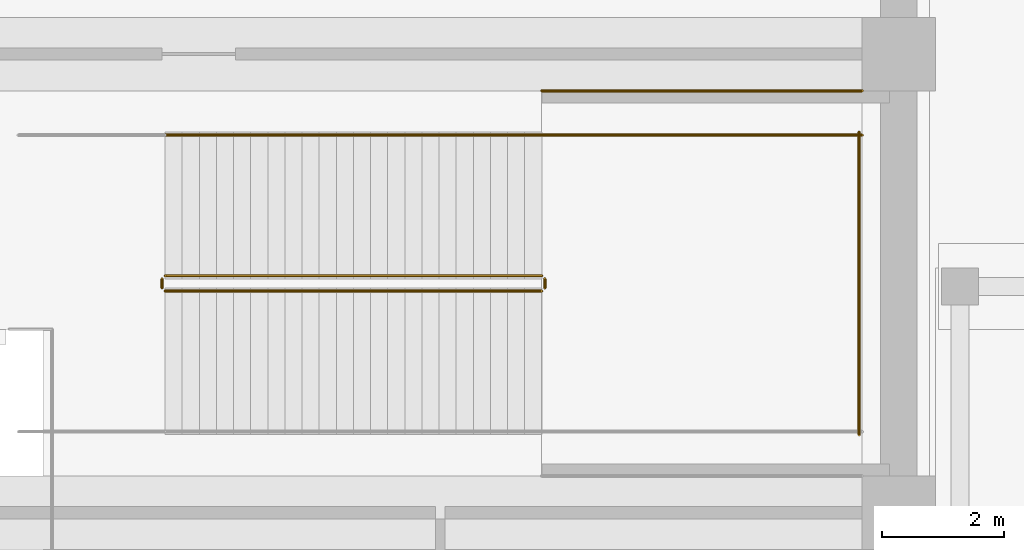
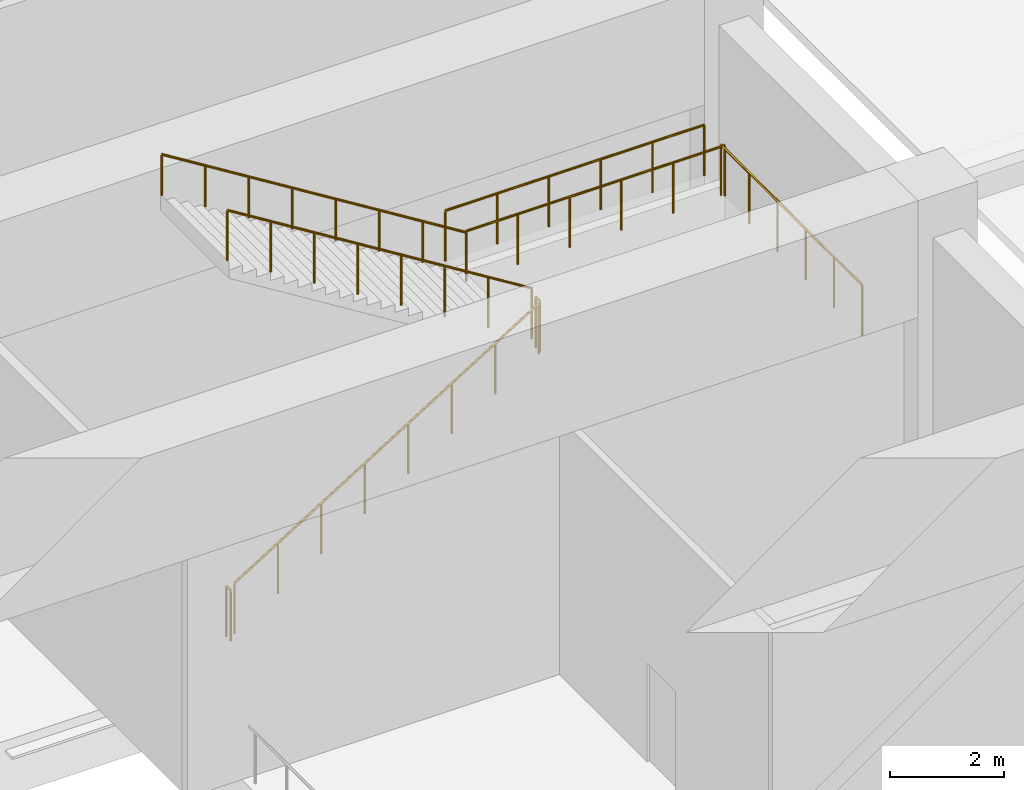
# One storey, part 49 of 57: 8 railings.
"""IFC4 building model written with IfcOpenShell, lengths in metres."""

from ifc_helpers import new_model, si_unit, direction, frame, origin, origin_2d, place, context, subcontext, project, spatial, circle, extrude, material, type_object, element, save


model = new_model("IFC4")

# Units and contexts
model_context = context("Model", 3, precision=1e-05, world=origin(), true_north=direction((0.0, 1.0)))
body_context = subcontext(model_context, "Body", "Model", "MODEL_VIEW")
ifc_project = project(units=[si_unit("LENGTHUNIT", "METRE"), si_unit("AREAUNIT", "SQUARE_METRE"), si_unit("VOLUMEUNIT", "CUBIC_METRE"), si_unit("PLANEANGLEUNIT", "RADIAN"), si_unit("MASSUNIT", "GRAM", prefix="KILO")], contexts=[model_context])

# Site, building, storey
site_placement = place(None, origin())
site = spatial("IfcSite", under=ifc_project, at=site_placement, CompositionType="ELEMENT")
building_placement = place(site_placement, origin())
building = spatial("IfcBuilding", under=site, at=building_placement, Name="Tamorin Gate", CompositionType="ELEMENT")
storey_placement = place(building_placement, origin())
storey = spatial("IfcBuildingStorey", under=building, at=storey_placement, Name="L00", CompositionType="ELEMENT", Elevation=0.0)

# Railings
ifc_material = material(Name="Steel", Category="steel")
railing_type_1 = type_object("IfcRailingType", Name="Podium guard 1100", PredefinedType="GUARDRAIL", material=ifc_material)
railing_1_placement = place(storey_placement, frame((100.0, 78.625, 0.173828125)))
element("IfcRailing", 1, at=railing_1_placement, inside=storey, type_object=railing_type_1, Name="L00 PS5 stair guard 1", PredefinedType="GUARDRAIL", context=body_context, shape_type="SweptSolid", body=[
    extrude(circle(Radius=0.02392578125, at=origin_2d()), frame((0.0, 0.0, 1.076171875), z_axis=(0.849468459523, 0.0, 0.527639399851), x_axis=(0.0, 1.0, 0.0)), (0.0, 0.0, 1.0), 7.25146484375),
    extrude(circle(Radius=0.02099609375, at=origin_2d()), origin(), (0.0, 0.0, 1.0), 1.052001953125),
    extrude(circle(Radius=0.02099609375, at=origin_2d()), frame((0.8798828125, 0.0, 0.546630859375)), (0.0, 0.0, 1.0), 1.052001953125),
    extrude(circle(Radius=0.02099609375, at=origin_2d()), frame((1.760009765625, 0.0, 1.09326171875)), (0.0, 0.0, 1.0), 1.052001953125),
    extrude(circle(Radius=0.02099609375, at=origin_2d()), frame((2.639892578125, 0.0, 1.639892578125)), (0.0, 0.0, 1.0), 1.052001953125),
    extrude(circle(Radius=0.02099609375, at=origin_2d()), frame((3.52001953125, 0.0, 2.186279296875)), (0.0, 0.0, 1.0), 1.052001953125),
    extrude(circle(Radius=0.02099609375, at=origin_2d()), frame((4.39990234375, 0.0, 2.73291015625)), (0.0, 0.0, 1.0), 1.052001953125),
    extrude(circle(Radius=0.02099609375, at=origin_2d()), frame((5.280029296875, 0.0, 3.279541015625)), (0.0, 0.0, 1.0), 1.052001953125),
    extrude(circle(Radius=0.02099609375, at=origin_2d()), frame((6.159912109375, 0.0, 3.826171875)), (0.0, 0.0, 1.0), 1.052001953125),
])
railing_2_placement = place(storey_placement, frame((106.2099609375, 78.675048828125, 4.0)))
element("IfcRailing", 2, at=railing_2_placement, inside=storey, type_object=railing_type_1, Name="L00 PS5 stair guard 2", PredefinedType="GUARDRAIL", context=body_context, shape_type="SweptSolid", body=[
    extrude(circle(Radius=0.02392578125, at=origin_2d()), frame((0.0, 0.0, 1.076171875), z_axis=(0.0, 1.0, 0.0), x_axis=(-1.0, 0.0, 0.0)), (0.0, 0.0, 1.0), 0.14990234375),
    extrude(circle(Radius=0.02099609375, at=origin_2d()), origin(), (0.0, 0.0, 1.0), 1.052001953125),
    extrude(circle(Radius=0.02099609375, at=origin_2d()), frame((0.0, 0.14990234375, 0.0)), (0.0, 0.0, 1.0), 1.052001953125),
])
railing_3_placement = place(storey_placement, frame((106.159912109375, 81.175048828125, 4.0)))
element("IfcRailing", 3, at=railing_3_placement, inside=storey, type_object=railing_type_1, Name="L00 PS5 stair guard 4", PredefinedType="GUARDRAIL", context=body_context, shape_type="SweptSolid", body=[
    extrude(circle(Radius=0.02392578125, at=origin_2d()), frame((0.0, 0.0, 1.076171875), z_axis=(1.0, 0.0, 0.0), x_axis=(0.0, 1.0, 0.0)), (0.0, 0.0, 1.0), 5.239990234375),
    extrude(circle(Radius=0.02099609375, at=origin_2d()), origin(), (0.0, 0.0, 1.0), 1.052001953125),
    extrude(circle(Radius=0.02099609375, at=origin_2d()), frame((1.048095703125, 0.0, 0.0)), (0.0, 0.0, 1.0), 1.052001953125),
    extrude(circle(Radius=0.02099609375, at=origin_2d()), frame((2.095947265625, 0.0, 0.0)), (0.0, 0.0, 1.0), 1.052001953125),
    extrude(circle(Radius=0.02099609375, at=origin_2d()), frame((3.14404296875, 0.0, 0.0)), (0.0, 0.0, 1.0), 1.052001953125),
    extrude(circle(Radius=0.02099609375, at=origin_2d()), frame((4.19189453125, 0.0, 0.0)), (0.0, 0.0, 1.0), 1.052001953125),
    extrude(circle(Radius=0.02099609375, at=origin_2d()), frame((5.239990234375, 0.0, 0.0)), (0.0, 0.0, 1.0), 1.052001953125),
])
railing_4_placement = place(storey_placement, frame((111.35009765625, 76.27490234375, 4.0)))
element("IfcRailing", 4, at=railing_4_placement, inside=storey, type_object=railing_type_1, Name="L00 PS5 stair guard 5", PredefinedType="GUARDRAIL", context=body_context, shape_type="SweptSolid", body=[
    extrude(circle(Radius=0.02392578125, at=origin_2d()), frame((0.0, 0.0, 1.076171875), z_axis=(0.0, 1.0, 0.0), x_axis=(-1.0, 0.0, 0.0)), (0.0, 0.0, 1.0), 4.9501953125),
    extrude(circle(Radius=0.02099609375, at=origin_2d()), origin(), (0.0, 0.0, 1.0), 1.052001953125),
    extrude(circle(Radius=0.02099609375, at=origin_2d()), frame((0.0, 0.989990234375, 0.0)), (0.0, 0.0, 1.0), 1.052001953125),
    extrude(circle(Radius=0.02099609375, at=origin_2d()), frame((0.0, 1.97998046875, 0.0)), (0.0, 0.0, 1.0), 1.052001953125),
    extrude(circle(Radius=0.02099609375, at=origin_2d()), frame((0.0, 2.97021484375, 0.0)), (0.0, 0.0, 1.0), 1.052001953125),
    extrude(circle(Radius=0.02099609375, at=origin_2d()), frame((0.0, 3.960205078125, 0.0)), (0.0, 0.0, 1.0), 1.052001953125),
    extrude(circle(Radius=0.02099609375, at=origin_2d()), frame((0.0, 4.9501953125, 0.0)), (0.0, 0.0, 1.0), 1.052001953125),
])
railing_5_placement = place(storey_placement, frame((106.159912109375, 78.875, 4.173828125)))
element("IfcRailing", 5, at=railing_5_placement, inside=storey, type_object=railing_type_1, Name="L00 PS5 stair guard 6", PredefinedType="GUARDRAIL", context=body_context, shape_type="SweptSolid", body=[
    extrude(circle(Radius=0.02392578125, at=origin_2d()), frame((0.0, 0.0, 1.076171875), z_axis=(-0.849468459523, 0.0, 0.527639399851), x_axis=(0.0, -1.0, 0.0)), (0.0, 0.0, 1.0), 7.25146484375),
    extrude(circle(Radius=0.02099609375, at=origin_2d()), origin(), (0.0, 0.0, 1.0), 1.052001953125),
    extrude(circle(Radius=0.02099609375, at=origin_2d()), frame((-0.8798828125, 0.0, 0.546630859375)), (0.0, 0.0, 1.0), 1.052001953125),
    extrude(circle(Radius=0.02099609375, at=origin_2d()), frame((-1.760009765625, 0.0, 1.09326171875)), (0.0, 0.0, 1.0), 1.052001953125),
    extrude(circle(Radius=0.02099609375, at=origin_2d()), frame((-2.639892578125, 0.0, 1.639892578125)), (0.0, 0.0, 1.0), 1.052001953125),
    extrude(circle(Radius=0.02099609375, at=origin_2d()), frame((-3.52001953125, 0.0, 2.186279296875)), (0.0, 0.0, 1.0), 1.052001953125),
    extrude(circle(Radius=0.02099609375, at=origin_2d()), frame((-4.39990234375, 0.0, 2.73291015625)), (0.0, 0.0, 1.0), 1.052001953125),
    extrude(circle(Radius=0.02099609375, at=origin_2d()), frame((-5.280029296875, 0.0, 3.279541015625)), (0.0, 0.0, 1.0), 1.052001953125),
    extrude(circle(Radius=0.02099609375, at=origin_2d()), frame((-6.159912109375, 0.0, 3.826171875)), (0.0, 0.0, 1.0), 1.052001953125),
])
railing_6_placement = place(storey_placement, frame((99.949951171875, 78.675048828125, 0.0)))
element("IfcRailing", 6, at=railing_6_placement, inside=storey, type_object=railing_type_1, Name="L00 PS5 stair guard 7", PredefinedType="GUARDRAIL", context=body_context, shape_type="SweptSolid", body=[
    extrude(circle(Radius=0.02392578125, at=origin_2d()), frame((0.0, 0.0, 1.076171875), z_axis=(0.0, 1.0, 0.0), x_axis=(-1.0, 0.0, 0.0)), (0.0, 0.0, 1.0), 0.14990234375),
    extrude(circle(Radius=0.02099609375, at=origin_2d()), origin(), (0.0, 0.0, 1.0), 1.052001953125),
    extrude(circle(Radius=0.02099609375, at=origin_2d()), frame((0.0, 0.14990234375, 0.0)), (0.0, 0.0, 1.0), 1.052001953125),
])
railing_7_placement = place(storey_placement, frame((106.159912109375, 81.89990234375, 4.0)))
element("IfcRailing", 7, at=railing_7_placement, inside=storey, type_object=railing_type_1, Name="Landing edge guard", PredefinedType="GUARDRAIL", context=body_context, shape_type="SweptSolid", body=[
    extrude(circle(Radius=0.02392578125, at=origin_2d()), frame((0.0, 0.0, 1.076171875), z_axis=(1.0, 0.0, 0.0), x_axis=(0.0, 1.0, 0.0)), (0.0, 0.0, 1.0), 5.239990234375),
    extrude(circle(Radius=0.02099609375, at=origin_2d()), origin(), (0.0, 0.0, 1.0), 1.052001953125),
    extrude(circle(Radius=0.02099609375, at=origin_2d()), frame((1.048095703125, 0.0, 0.0)), (0.0, 0.0, 1.0), 1.052001953125),
    extrude(circle(Radius=0.02099609375, at=origin_2d()), frame((2.095947265625, 0.0, 0.0)), (0.0, 0.0, 1.0), 1.052001953125),
    extrude(circle(Radius=0.02099609375, at=origin_2d()), frame((3.14404296875, 0.0, 0.0)), (0.0, 0.0, 1.0), 1.052001953125),
    extrude(circle(Radius=0.02099609375, at=origin_2d()), frame((4.19189453125, 0.0, 0.0)), (0.0, 0.0, 1.0), 1.052001953125),
    extrude(circle(Radius=0.02099609375, at=origin_2d()), frame((5.239990234375, 0.0, 0.0)), (0.0, 0.0, 1.0), 1.052001953125),
])
railing_type_2 = type_object("IfcRailingType", Name="Podium stair handrail 900", PredefinedType="HANDRAIL", material=ifc_material)
railing_8_placement = place(storey_placement, frame((106.159912109375, 81.175048828125, 4.173828125)))
element("IfcRailing", 8, at=railing_8_placement, inside=storey, type_object=railing_type_2, Name="L00 PS5 stair handrail 2", PredefinedType="HANDRAIL", context=body_context, shape_type="SweptSolid", body=[
    extrude(circle(Radius=0.02392578125, at=origin_2d()), frame((0.0, 0.0, 0.8759765625), z_axis=(-0.849468459523, 0.0, 0.527639399851), x_axis=(0.0, -1.0, 0.0)), (0.0, 0.0, 1.0), 7.25146484375),
    extrude(circle(Radius=0.02099609375, at=origin_2d()), origin(), (0.0, 0.0, 1.0), 0.851806640625),
    extrude(circle(Radius=0.02099609375, at=origin_2d()), frame((-0.8798828125, 0.0, 0.546630859375)), (0.0, 0.0, 1.0), 0.851806640625),
    extrude(circle(Radius=0.02099609375, at=origin_2d()), frame((-1.760009765625, 0.0, 1.09326171875)), (0.0, 0.0, 1.0), 0.851806640625),
    extrude(circle(Radius=0.02099609375, at=origin_2d()), frame((-2.639892578125, 0.0, 1.639892578125)), (0.0, 0.0, 1.0), 0.851806640625),
    extrude(circle(Radius=0.02099609375, at=origin_2d()), frame((-3.52001953125, 0.0, 2.186279296875)), (0.0, 0.0, 1.0), 0.851806640625),
    extrude(circle(Radius=0.02099609375, at=origin_2d()), frame((-4.39990234375, 0.0, 2.73291015625)), (0.0, 0.0, 1.0), 0.851806640625),
    extrude(circle(Radius=0.02099609375, at=origin_2d()), frame((-5.280029296875, 0.0, 3.279541015625)), (0.0, 0.0, 1.0), 0.851806640625),
    extrude(circle(Radius=0.02099609375, at=origin_2d()), frame((-6.159912109375, 0.0, 3.826171875)), (0.0, 0.0, 1.0), 0.851806640625),
])

save(model, "model.ifc")
